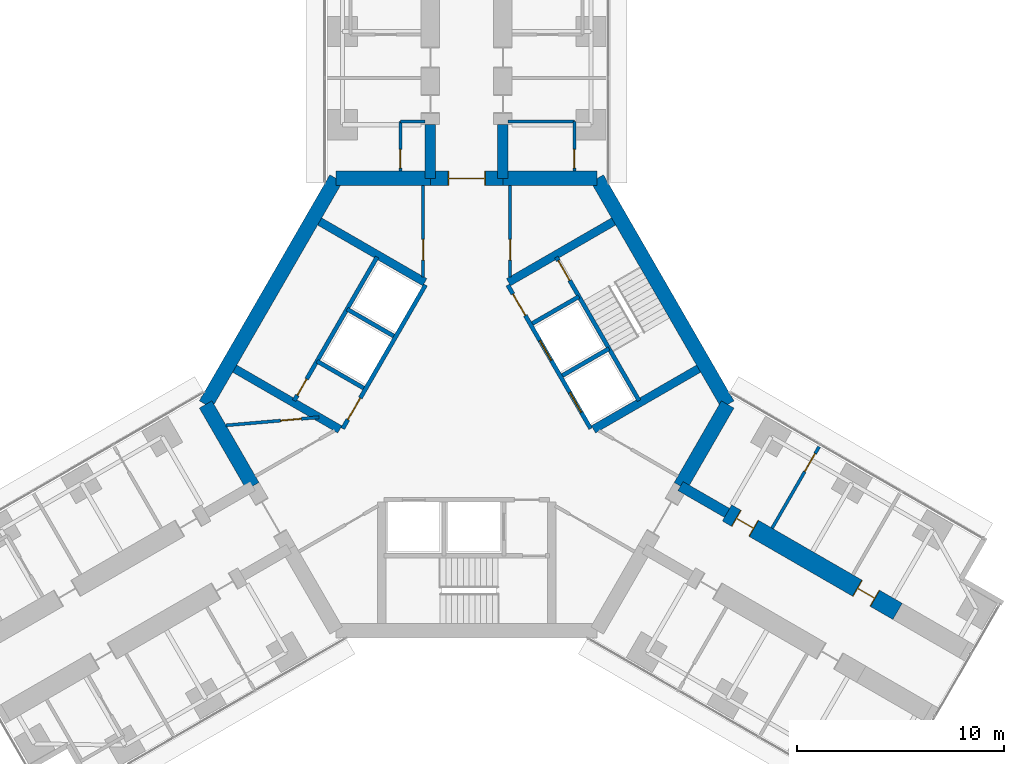
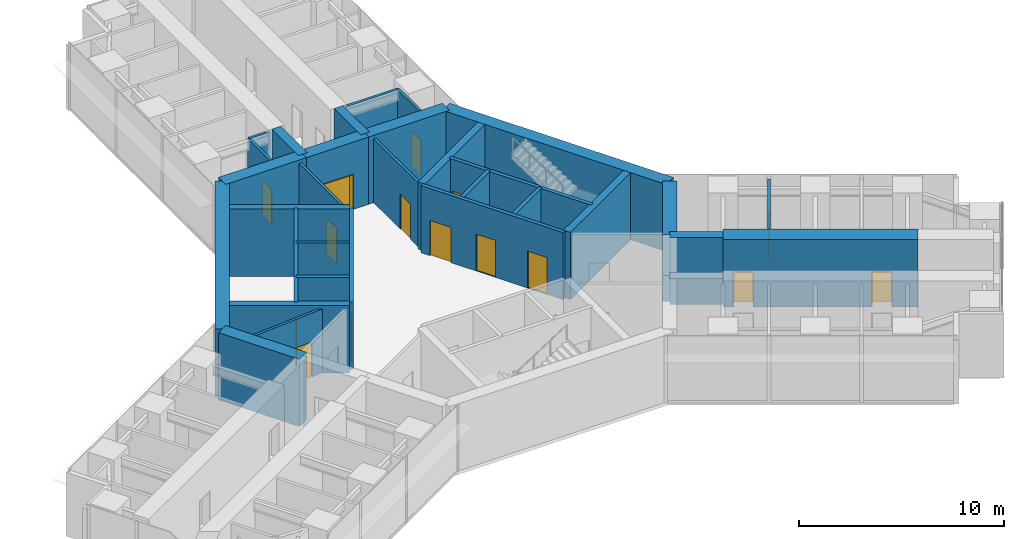
# One storey, part 21 of 24: 31 walls, 15 doors, 15 openings.
"""IFC4 building model written with IfcOpenShell, lengths in metres."""

from ifc_helpers import new_model, si_unit, direction, frame, frame_2d, origin, place, context, subcontext, project, spatial, rectangle, extrude, material, layer, layer_set, type_object, element, fill, save


model = new_model("IFC4")

# Units and contexts
model_context = context("Model", 3, precision=1e-05, world=origin(), true_north=direction((0.0, 1.0)))
body_context = subcontext(model_context, "Body", "Model", "MODEL_VIEW")
ifc_project = project(units=[si_unit("LENGTHUNIT", "METRE"), si_unit("AREAUNIT", "SQUARE_METRE"), si_unit("VOLUMEUNIT", "CUBIC_METRE"), si_unit("PLANEANGLEUNIT", "RADIAN"), si_unit("MASSUNIT", "GRAM", prefix="KILO")], contexts=[model_context])

# Site, building, storey
site_placement = place(None, origin())
site = spatial("IfcSite", under=ifc_project, at=site_placement, CompositionType="ELEMENT")
building_placement = place(site_placement, origin())
building = spatial("IfcBuilding", under=site, at=building_placement, Name="Upepo Twin Towers", CompositionType="ELEMENT")
storey_placement = place(building_placement, frame((0.0, 0.0, 64.5)))
storey = spatial("IfcBuildingStorey", under=building, at=storey_placement, Name="L15", CompositionType="ELEMENT", Elevation=64.5)

# Walls
ifc_material_1 = material(Name="Concrete C60/75", Category="concrete")
ifc_layer_1 = layer(ifc_material_1, 0.5)
ifc_layer_set_1 = layer_set([ifc_layer_1], Name="Concrete C60/75")
wall_type_1 = type_object("IfcWallType", Name="Buttress wall 500 RC", PredefinedType="SHEAR", material=ifc_layer_set_1)
for number, where, z_axis, x_axis, name in (
    (1, (56.75, -7.091552734375, 0.0), (0.0, 0.0, 1.0), (0.0, 1.0, 0.0), "T2 wing A buttress wall L"),
    (2, (60.25, -7.091552734375, 0.0), (0.0, 0.0, 1.0), (0.0, 1.0, 0.0), "T2 wing A buttress wall R"),
):
    element("IfcWall", number, at=place(storey_placement, frame(where, z_axis=z_axis, x_axis=x_axis)), inside=storey, type_object=wall_type_1, Name=name, PredefinedType="SHEAR", context=body_context, shape_type="SweptSolid", body=[
        extrude(rectangle(XDim=2.591552734375, YDim=0.5, at=frame_2d((1.2958984375, 0.0))), origin(), (0.0, 0.0, 1.0), 4.0),
    ])
wall_1_placement = place(storey_placement, frame((68.82177734375, -21.938720703125, 0.0), z_axis=(0.0, 0.0, 1.0), x_axis=(0.866072649678, -0.499918158782, 0.0)))
element("IfcWall", 3, at=wall_1_placement, inside=storey, type_object=wall_type_1, Name="T2 wing C buttress wall L", PredefinedType="SHEAR", context=body_context, shape_type="SweptSolid", body=[
    extrude(rectangle(XDim=2.591796875, YDim=0.5, at=frame_2d((1.2958984375, 0.0))), origin(), (0.0, 0.0, 1.0), 4.0),
])

# Wall, openings, doors
ifc_material_2 = material(Name="Concrete C60/75", Category="concrete")
ifc_layer_2 = layer(ifc_material_2, 0.89990234375)
ifc_layer_set_2 = layer_set([ifc_layer_2], Name="Concrete C60/75")
wall_type_2 = type_object("IfcWallType", Name="Buttress wall 900 RC", PredefinedType="SHEAR", material=ifc_layer_set_2)
wall_2_placement = place(storey_placement, frame((71.06640625, -23.234375, 0.0), z_axis=(0.0, 0.0, 1.0), x_axis=(0.86602681393, -0.499997557548, 0.0)))
wall_2 = element("IfcWall", 4, at=wall_2_placement, inside=storey, type_object=wall_type_2, Name="T2 wing C buttress wall L part 2", PredefinedType="SHEAR", context=body_context, shape_type="SweptSolid", body=[
    extrude(rectangle(XDim=9.5, YDim=0.89990234375, at=frame_2d((4.75, 0.0))), origin(), (0.0, 0.0, 1.0), 4.0),
])
opening_1_placement = place(wall_2_placement, frame((0.5, 0.0, 0.0)))
opening_1 = element("IfcOpeningElement", 5, at=opening_1_placement, cuts=wall_2, Name="Opening D1", PredefinedType="OPENING", context=body_context, shape_type="SweptSolid", body=[
    extrude(rectangle(XDim=1.0, YDim=2.10009765625, at=frame_2d((0.5, 1.050048828125))), frame((0.0, 0.4599609375, 0.0), z_axis=(0.0, -1.0, 0.0), x_axis=(1.0, 0.0, 0.0)), (0.0, 0.0, 1.0), 0.919921875),
])
opening_2_placement = place(wall_2_placement, frame((7.25, 0.0, 0.0)))
opening_2 = element("IfcOpeningElement", 6, at=opening_2_placement, cuts=wall_2, Name="Opening D1", PredefinedType="OPENING", context=body_context, shape_type="SweptSolid", body=[
    extrude(rectangle(XDim=1.0, YDim=2.10009765625, at=frame_2d((0.5, 1.050048828125))), frame((0.0, 0.4599609375, 0.0), z_axis=(0.0, -1.0, 0.0), x_axis=(1.0, 0.0, 0.0)), (0.0, 0.0, 1.0), 0.919921875),
])
ifc_material_3 = material(Name="Timber doorset", Category="wood")
door_type_1 = type_object("IfcDoorType", Name="Room door 1000 FD30", OperationType="SINGLE_SWING_LEFT", PredefinedType="DOOR", material=ifc_material_3)
door_1_placement = place(opening_1_placement, origin())
door_1 = element("IfcDoor", 7, at=door_1_placement, inside=storey, type_object=door_type_1, Name="T2 L15 seminar room door", OperationType="SINGLE_SWING_LEFT", OverallHeight=2.10009765625, OverallWidth=1.0, PredefinedType="DOOR", context=body_context, shape_type="SweptSolid", body=[
    extrude(rectangle(XDim=0.92, YDim=2.06009765625, at=frame_2d((0.5, 1.030029296875))), frame((0.0, 0.02490234375, 0.0), z_axis=(0.0, -1.0, 0.0), x_axis=(1.0, 0.0, 0.0)), (0.0, 0.0, 1.0), 0.050048828125),
    extrude(rectangle(XDim=0.04, YDim=2.10009765625, at=frame_2d((0.02001953125, 1.050048828125))), frame((0.0, 0.44970703125, 0.0), z_axis=(0.0, -1.0, 0.0), x_axis=(1.0, 0.0, 0.0)), (0.0, 0.0, 1.0), 0.8994140625),
    extrude(rectangle(XDim=0.04, YDim=2.10009765625, at=frame_2d((0.97998046875, 1.050048828125))), frame((0.0, 0.44970703125, 0.0), z_axis=(0.0, -1.0, 0.0), x_axis=(1.0, 0.0, 0.0)), (0.0, 0.0, 1.0), 0.8994140625),
    extrude(rectangle(XDim=0.92, YDim=0.04, at=frame_2d((0.5, 2.080078125))), frame((0.0, 0.44970703125, 0.0), z_axis=(0.0, -1.0, 0.0), x_axis=(1.0, 0.0, 0.0)), (0.0, 0.0, 1.0), 0.8994140625),
])
fill(opening_1, door_1)
door_2_placement = place(opening_2_placement, origin())
door_2 = element("IfcDoor", 8, at=door_2_placement, inside=storey, type_object=door_type_1, Name="T2 L15 tutorial room door", OperationType="SINGLE_SWING_RIGHT", OverallHeight=2.10009765625, OverallWidth=1.0, PredefinedType="DOOR", context=body_context, shape_type="SweptSolid", body=[
    extrude(rectangle(XDim=0.92, YDim=2.06009765625, at=frame_2d((0.5, 1.030029296875))), frame((0.0, 0.02490234375, 0.0), z_axis=(0.0, -1.0, 0.0), x_axis=(1.0, 0.0, 0.0)), (0.0, 0.0, 1.0), 0.050048828125),
    extrude(rectangle(XDim=0.04, YDim=2.10009765625, at=frame_2d((0.02001953125, 1.050048828125))), frame((0.0, 0.44970703125, 0.0), z_axis=(0.0, -1.0, 0.0), x_axis=(1.0, 0.0, 0.0)), (0.0, 0.0, 1.0), 0.8994140625),
    extrude(rectangle(XDim=0.04, YDim=2.10009765625, at=frame_2d((0.97998046875, 1.050048828125))), frame((0.0, 0.44970703125, 0.0), z_axis=(0.0, -1.0, 0.0), x_axis=(1.0, 0.0, 0.0)), (0.0, 0.0, 1.0), 0.8994140625),
    extrude(rectangle(XDim=0.92, YDim=0.04, at=frame_2d((0.5, 2.080078125))), frame((0.0, 0.44970703125, 0.0), z_axis=(0.0, -1.0, 0.0), x_axis=(1.0, 0.0, 0.0)), (0.0, 0.0, 1.0), 0.8994140625),
])
fill(opening_2, door_2)

# Wall
ifc_material_4 = material(Name="Concrete C60/75", Category="concrete")
ifc_layer_3 = layer(ifc_material_4, 0.699951171875)
ifc_layer_set_3 = layer_set([ifc_layer_3], Name="Concrete C60/75")
wall_type_3 = type_object("IfcWallType", Name="Core wall 700 RC", PredefinedType="SHEAR", material=ifc_layer_set_3)
wall_3_placement = place(storey_placement, frame((64.7978515625, -7.091552734375, 0.0), z_axis=(0.0, 0.0, 1.0), x_axis=(-1.0, 0.0, 0.0)))
element("IfcWall", 9, at=wall_3_placement, inside=storey, type_object=wall_type_3, Name="T2 core wall 000 R", PredefinedType="SHEAR", context=body_context, shape_type="SweptSolid", body=[
    extrude(rectangle(XDim=4.5478515625, YDim=0.699951171875, at=frame_2d((2.27392578125, 0.0))), origin(), (0.0, 0.0, 1.0), 4.0),
])

# Wall, opening, door
wall_4_placement = place(storey_placement, frame((60.25, -7.091552734375, 0.0), z_axis=(0.0, 0.0, 1.0), x_axis=(-1.0, 0.0, 0.0)))
wall_4 = element("IfcWall", 10, at=wall_4_placement, inside=storey, type_object=wall_type_3, Name="T2 core wall 000", PredefinedType="SHEAR", context=body_context, shape_type="SweptSolid", body=[
    extrude(rectangle(XDim=3.5, YDim=0.699951171875, at=frame_2d((1.75, 0.0))), origin(), (0.0, 0.0, 1.0), 4.0),
])
opening_3_placement = place(wall_4_placement, frame((0.85009765625, 0.0, 0.0)))
opening_3 = element("IfcOpeningElement", 11, at=opening_3_placement, cuts=wall_4, Name="Opening D2", PredefinedType="OPENING", context=body_context, shape_type="SweptSolid", body=[
    extrude(rectangle(XDim=1.800048828125, YDim=2.10009765625, at=frame_2d((0.89990234375, 1.050048828125))), frame((0.0, 0.35986328125, 0.0), z_axis=(0.0, -1.0, 0.0), x_axis=(1.0, 0.0, 0.0)), (0.0, 0.0, 1.0), 0.719970703125),
])
ifc_material_5 = material(Name="Timber doorset", Category="wood")
door_type_2 = type_object("IfcDoorType", Name="Corridor double door 1800 FD60", OperationType="DOUBLE_DOOR_DOUBLE_SWING", PredefinedType="DOOR", material=ifc_material_5)
door_3_placement = place(opening_3_placement, origin())
door_3 = element("IfcDoor", 12, at=door_3_placement, inside=storey, type_object=door_type_2, Name="T2 L15 wing A corridor door", OperationType="DOUBLE_DOOR_DOUBLE_SWING", OverallHeight=2.10009765625, OverallWidth=1.800048828125, PredefinedType="DOOR", context=body_context, shape_type="SweptSolid", body=[
    extrude(rectangle(XDim=1.720048828125, YDim=2.06009765625, at=frame_2d((0.89990234375, 1.030029296875))), frame((0.0, 0.02490234375, 0.0), z_axis=(0.0, -1.0, 0.0), x_axis=(1.0, 0.0, 0.0)), (0.0, 0.0, 1.0), 0.050048828125),
    extrude(rectangle(XDim=0.04, YDim=2.10009765625, at=frame_2d((0.02001953125, 1.050048828125))), frame((0.0, 0.349609375, 0.0), z_axis=(0.0, -1.0, 0.0), x_axis=(1.0, 0.0, 0.0)), (0.0, 0.0, 1.0), 0.699462890625),
    extrude(rectangle(XDim=0.04, YDim=2.10009765625, at=frame_2d((1.780029296875, 1.050048828125))), frame((0.0, 0.349609375, 0.0), z_axis=(0.0, -1.0, 0.0), x_axis=(1.0, 0.0, 0.0)), (0.0, 0.0, 1.0), 0.699462890625),
    extrude(rectangle(XDim=1.720048828125, YDim=0.04, at=frame_2d((0.89990234375, 2.080078125))), frame((0.0, 0.349609375, 0.0), z_axis=(0.0, -1.0, 0.0), x_axis=(1.0, 0.0, 0.0)), (0.0, 0.0, 1.0), 0.699462890625),
])
fill(opening_3, door_3)

# Walls
wall_5_placement = place(storey_placement, frame((56.75, -7.091552734375, 0.0), z_axis=(0.0, 0.0, 1.0), x_axis=(-1.0, 0.0, 0.0)))
element("IfcWall", 13, at=wall_5_placement, inside=storey, type_object=wall_type_3, Name="T2 core wall 000 L", PredefinedType="SHEAR", context=body_context, shape_type="SweptSolid", body=[
    extrude(rectangle(XDim=4.5478515625, YDim=0.699951171875, at=frame_2d((2.27392578125, 0.0))), origin(), (0.0, 0.0, 1.0), 4.0),
])
wall_6_placement = place(storey_placement, frame((52.2021484375, -7.091552734375, 0.0), z_axis=(0.0, 0.0, 1.0), x_axis=(-0.500005998175, -0.866021940709, 0.0)))
element("IfcWall", 14, at=wall_6_placement, inside=storey, type_object=wall_type_3, Name="T2 core wall 060", PredefinedType="SHEAR", context=body_context, shape_type="SweptSolid", body=[
    extrude(rectangle(XDim=12.595947265625, YDim=0.699951171875, at=frame_2d((6.2978515625, 0.0))), origin(), (0.0, 0.0, 1.0), 4.0),
])
for number, where, z_axis, x_axis, name in (
    (15, (45.904052734375, -18.0, 0.0), (0.0, 0.0, 1.0), (0.500024481964, -0.866011268655, 0.0), "T2 core wall 120 R"),
    (16, (68.82177734375, -21.938720703125, 0.0), (0.0, 0.0, 1.0), (0.500024481964, 0.866011268655, 0.0), "T2 core wall 240 L"),
):
    element("IfcWall", number, at=place(storey_placement, frame(where, z_axis=z_axis, x_axis=x_axis)), inside=storey, type_object=wall_type_3, Name=name, PredefinedType="SHEAR", context=body_context, shape_type="SweptSolid", body=[
        extrude(rectangle(XDim=4.548095703125, YDim=0.699951171875, at=frame_2d((2.27392578125, 0.0))), origin(), (0.0, 0.0, 1.0), 4.0),
    ])
wall_7_placement = place(storey_placement, frame((71.095947265625, -18.0, 0.0), z_axis=(0.0, 0.0, 1.0), x_axis=(-0.500005998175, 0.866021940709, 0.0)))
element("IfcWall", 17, at=wall_7_placement, inside=storey, type_object=wall_type_3, Name="T2 core wall 300", PredefinedType="SHEAR", context=body_context, shape_type="SweptSolid", body=[
    extrude(rectangle(XDim=12.595947265625, YDim=0.699951171875, at=frame_2d((6.2978515625, 0.0))), origin(), (0.0, 0.0, 1.0), 4.0),
])

# Wall, opening, door
ifc_material_6 = material(Name="Concrete C40/50", Category="concrete")
ifc_layer_4 = layer(ifc_material_6, 0.199951171875)
ifc_layer_set_4 = layer_set([ifc_layer_4], Name="Concrete C40/50")
wall_type_4 = type_object("IfcWallType", Name="Shaft wall 200 RC", PredefinedType="SHEAR", material=ifc_layer_set_4)
wall_8_placement = place(storey_placement, frame((56.516357421875, -12.23583984375, 0.0), z_axis=(0.0, 0.0, 1.0), x_axis=(-0.49999894854, -0.866026010844, 0.0)))
wall_8 = element("IfcWall", 18, at=wall_8_placement, inside=storey, type_object=wall_type_4, Name="T2 core W60 front wall", PredefinedType="SHEAR", context=body_context, shape_type="SweptSolid", body=[
    extrude(rectangle(XDim=8.0, YDim=0.199951171875, at=frame_2d((4.0, 0.0))), origin(), (0.0, 0.0, 1.0), 4.0),
])
opening_4_placement = place(wall_8_placement, frame((6.300048828125, 0.0, 0.0)))
opening_4 = element("IfcOpeningElement", 19, at=opening_4_placement, cuts=wall_8, Name="Opening D4", PredefinedType="OPENING", context=body_context, shape_type="SweptSolid", body=[
    extrude(rectangle(XDim=1.199951171875, YDim=2.10009765625, at=frame_2d((0.60009765625, 1.050048828125))), frame((0.0, 0.10986328125, 0.0), z_axis=(0.0, -1.0, 0.0), x_axis=(1.0, 0.0, 0.0)), (0.0, 0.0, 1.0), 0.219970703125),
])
ifc_material_7 = material(Name="Timber doorset", Category="wood")
door_type_3 = type_object("IfcDoorType", Name="Lobby door 1200 FD60", OperationType="SINGLE_SWING_LEFT", PredefinedType="DOOR", material=ifc_material_7)
door_4_placement = place(opening_4_placement, origin())
door_4 = element("IfcDoor", 20, at=door_4_placement, inside=storey, type_object=door_type_3, Name="T2 L15 W60 lobby door", OperationType="SINGLE_SWING_RIGHT", OverallHeight=2.10009765625, OverallWidth=1.199951171875, PredefinedType="DOOR", context=body_context, shape_type="SweptSolid", body=[
    extrude(rectangle(XDim=1.199951171875, YDim=2.10009765625, at=frame_2d((0.60009765625, 1.050048828125))), frame((0.0, 0.02490234375, 0.0), z_axis=(0.0, -1.0, 0.0), x_axis=(1.0, 0.0, 0.0)), (0.0, 0.0, 1.0), 0.050048828125),
])
fill(opening_4, door_4)

# Walls
for number, where, z_axis, x_axis, name in (
    (21, (54.979736328125, -14.697265625, 0.0), (0.0, 0.0, 1.0), (-0.866062058628, 0.499936506574, 0.0), "T2 core W60 shaft divider"),
    (22, (53.52978515625, -17.208740234375, 0.0), (0.0, 0.0, 1.0), (-0.866062058628, 0.499936506574, 0.0), "T2 core W60 lobby wall"),
):
    element("IfcWall", number, at=place(storey_placement, frame(where, z_axis=z_axis, x_axis=x_axis)), inside=storey, type_object=wall_type_4, Name=name, PredefinedType="SHEAR", context=body_context, shape_type="SweptSolid", body=[
        extrude(rectangle(XDim=2.599853515625, YDim=0.199951171875, at=frame_2d((1.2998046875, 0.0))), origin(), (0.0, 0.0, 1.0), 4.0),
    ])

# Wall, opening, door
wall_9_placement = place(storey_placement, frame((54.177978515625, -10.885986328125, 0.0), z_axis=(0.0, 0.0, 1.0), x_axis=(-0.49999894854, -0.866026010844, 0.0)))
wall_9 = element("IfcWall", 23, at=wall_9_placement, inside=storey, type_object=wall_type_4, Name="T2 core W60 stair wall", PredefinedType="SHEAR", context=body_context, shape_type="SweptSolid", body=[
    extrude(rectangle(XDim=8.0, YDim=0.199951171875, at=frame_2d((4.0, 0.0))), origin(), (0.0, 0.0, 1.0), 4.0),
])
opening_5_placement = place(wall_9_placement, frame((6.800048828125, 0.0, 0.0)))
opening_5 = element("IfcOpeningElement", 24, at=opening_5_placement, cuts=wall_9, Name="Opening D9", PredefinedType="OPENING", context=body_context, shape_type="SweptSolid", body=[
    extrude(rectangle(XDim=0.89990234375, YDim=2.10009765625, at=frame_2d((0.449951171875, 1.050048828125))), frame((0.0, 0.10986328125, 0.0), z_axis=(0.0, -1.0, 0.0), x_axis=(1.0, 0.0, 0.0)), (0.0, 0.0, 1.0), 0.219970703125),
])
ifc_material_8 = material(Name="Timber doorset", Category="wood")
door_type_4 = type_object("IfcDoorType", Name="Riser door 900 FD60", OperationType="SINGLE_SWING_LEFT", PredefinedType="DOOR", material=ifc_material_8)
door_5_placement = place(opening_5_placement, origin())
door_5 = element("IfcDoor", 25, at=door_5_placement, inside=storey, type_object=door_type_4, Name="T2 L15 riser door", OperationType="SINGLE_SWING_RIGHT", OverallHeight=2.10009765625, OverallWidth=0.89990234375, PredefinedType="DOOR", context=body_context, shape_type="SweptSolid", body=[
    extrude(rectangle(XDim=0.89990234375, YDim=2.10009765625, at=frame_2d((0.449951171875, 1.050048828125))), frame((0.0, 0.02490234375, 0.0), z_axis=(0.0, -1.0, 0.0), x_axis=(1.0, 0.0, 0.0)), (0.0, 0.0, 1.0), 0.050048828125),
])
fill(opening_5, door_5)

# Wall, openings, doors
wall_10_placement = place(storey_placement, frame((64.483642578125, -19.1640625, 0.0), z_axis=(0.0, 0.0, 1.0), x_axis=(-0.49999894854, 0.866026010844, 0.0)))
wall_10 = element("IfcWall", 26, at=wall_10_placement, inside=storey, type_object=wall_type_4, Name="T2 core W300 front wall", PredefinedType="SHEAR", context=body_context, shape_type="SweptSolid", body=[
    extrude(rectangle(XDim=8.0, YDim=0.199951171875, at=frame_2d((4.0, 0.0))), origin(), (0.0, 0.0, 1.0), 4.0),
])
opening_6_placement = place(wall_10_placement, frame((6.300048828125, 0.0, 0.0)))
opening_6 = element("IfcOpeningElement", 27, at=opening_6_placement, cuts=wall_10, Name="Opening D4", PredefinedType="OPENING", context=body_context, shape_type="SweptSolid", body=[
    extrude(rectangle(XDim=1.199951171875, YDim=2.10009765625, at=frame_2d((0.60009765625, 1.050048828125))), frame((0.0, 0.10986328125, 0.0), z_axis=(0.0, -1.0, 0.0), x_axis=(1.0, 0.0, 0.0)), (0.0, 0.0, 1.0), 0.219970703125),
])
opening_7_placement = place(wall_10_placement, frame((0.89990234375, 0.0, 0.0)))
opening_7 = element("IfcOpeningElement", 28, at=opening_7_placement, cuts=wall_10, Name="Opening LD1", PredefinedType="OPENING", context=body_context, shape_type="SweptSolid", body=[
    extrude(rectangle(XDim=1.10009765625, YDim=2.199951171875, at=frame_2d((0.550048828125, 1.10009765625))), frame((0.0, 0.10986328125, 0.0), z_axis=(0.0, -1.0, 0.0), x_axis=(1.0, 0.0, 0.0)), (0.0, 0.0, 1.0), 0.219970703125),
])
opening_8_placement = place(wall_10_placement, frame((3.800048828125, 0.0, 0.0)))
opening_8 = element("IfcOpeningElement", 29, at=opening_8_placement, cuts=wall_10, Name="Opening LD1", PredefinedType="OPENING", context=body_context, shape_type="SweptSolid", body=[
    extrude(rectangle(XDim=1.10009765625, YDim=2.199951171875, at=frame_2d((0.550048828125, 1.10009765625))), frame((0.0, 0.10986328125, 0.0), z_axis=(0.0, -1.0, 0.0), x_axis=(1.0, 0.0, 0.0)), (0.0, 0.0, 1.0), 0.219970703125),
])
ifc_material_9 = material(Name="Steel doorset", Category="steel")
door_type_5 = type_object("IfcDoorType", Name="Lift landing door 1100", OperationType="DOUBLE_DOOR_SLIDING", PredefinedType="DOOR", material=ifc_material_9)
door_6_placement = place(opening_7_placement, origin())
door_6 = element("IfcDoor", 30, at=door_6_placement, inside=storey, type_object=door_type_5, Name="T2 L15 lift LL1 landing door", OperationType="DOUBLE_DOOR_SLIDING", OverallHeight=2.199951171875, OverallWidth=1.10009765625, PredefinedType="DOOR", context=body_context, shape_type="SweptSolid", body=[
    extrude(rectangle(XDim=1.10009765625, YDim=2.199951171875, at=frame_2d((0.550048828125, 1.10009765625))), frame((0.0, 0.02490234375, 0.0), z_axis=(0.0, -1.0, 0.0), x_axis=(1.0, 0.0, 0.0)), (0.0, 0.0, 1.0), 0.050048828125),
])
fill(opening_7, door_6)
door_7_placement = place(opening_8_placement, origin())
door_7 = element("IfcDoor", 31, at=door_7_placement, inside=storey, type_object=door_type_5, Name="T2 L15 lift LL2 landing door", OperationType="DOUBLE_DOOR_SLIDING", OverallHeight=2.199951171875, OverallWidth=1.10009765625, PredefinedType="DOOR", context=body_context, shape_type="SweptSolid", body=[
    extrude(rectangle(XDim=1.10009765625, YDim=2.199951171875, at=frame_2d((0.550048828125, 1.10009765625))), frame((0.0, 0.02490234375, 0.0), z_axis=(0.0, -1.0, 0.0), x_axis=(1.0, 0.0, 0.0)), (0.0, 0.0, 1.0), 0.050048828125),
])
fill(opening_8, door_7)
door_8_placement = place(opening_6_placement, origin())
door_8 = element("IfcDoor", 32, at=door_8_placement, inside=storey, type_object=door_type_3, Name="T2 L15 W300 lobby door", OperationType="SINGLE_SWING_RIGHT", OverallHeight=2.10009765625, OverallWidth=1.199951171875, PredefinedType="DOOR", context=body_context, shape_type="SweptSolid", body=[
    extrude(rectangle(XDim=1.199951171875, YDim=2.10009765625, at=frame_2d((0.60009765625, 1.050048828125))), frame((0.0, 0.02490234375, 0.0), z_axis=(0.0, -1.0, 0.0), x_axis=(1.0, 0.0, 0.0)), (0.0, 0.0, 1.0), 0.050048828125),
])
fill(opening_6, door_8)

# Walls
wall_11_placement = place(storey_placement, frame((63.120361328125, -16.6025390625, 0.0), z_axis=(0.0, 0.0, 1.0), x_axis=(0.866062058628, 0.499936506574, 0.0)))
element("IfcWall", 33, at=wall_11_placement, inside=storey, type_object=wall_type_4, Name="T2 core W300 shaft divider", PredefinedType="SHEAR", context=body_context, shape_type="SweptSolid", body=[
    extrude(rectangle(XDim=2.599853515625, YDim=0.199951171875, at=frame_2d((1.2998046875, 0.0))), origin(), (0.0, 0.0, 1.0), 4.0),
])
wall_12_placement = place(storey_placement, frame((61.67041015625, -14.091064453125, 0.0), z_axis=(0.0, 0.0, 1.0), x_axis=(0.86603858612, 0.49997716683, 0.0)))
element("IfcWall", 34, at=wall_12_placement, inside=storey, type_object=wall_type_4, Name="T2 core W300 lobby wall", PredefinedType="SHEAR", context=body_context, shape_type="SweptSolid", body=[
    extrude(rectangle(XDim=2.599609375, YDim=0.199951171875, at=frame_2d((1.2998046875, 0.0))), origin(), (0.0, 0.0, 1.0), 4.0),
])

# Wall, opening, door
wall_13_placement = place(storey_placement, frame((66.822021484375, -17.814208984375, 0.0), z_axis=(0.0, 0.0, 1.0), x_axis=(-0.49999894854, 0.866026010844, 0.0)))
wall_13 = element("IfcWall", 35, at=wall_13_placement, inside=storey, type_object=wall_type_4, Name="T2 core W300 stair wall", PredefinedType="SHEAR", context=body_context, shape_type="SweptSolid", body=[
    extrude(rectangle(XDim=8.0, YDim=0.199951171875, at=frame_2d((4.0, 0.0))), origin(), (0.0, 0.0, 1.0), 4.0),
])
opening_9_placement = place(wall_13_placement, frame((6.699951171875, 0.0, 0.0)))
opening_9 = element("IfcOpeningElement", 36, at=opening_9_placement, cuts=wall_13, Name="Opening D3", PredefinedType="OPENING", context=body_context, shape_type="SweptSolid", body=[
    extrude(rectangle(XDim=1.10009765625, YDim=2.10009765625, at=frame_2d((0.550048828125, 1.050048828125))), frame((0.0, 0.10986328125, 0.0), z_axis=(0.0, -1.0, 0.0), x_axis=(1.0, 0.0, 0.0)), (0.0, 0.0, 1.0), 0.219970703125),
])
ifc_material_10 = material(Name="Timber doorset", Category="wood")
door_type_6 = type_object("IfcDoorType", Name="Stair door 1100 FD60", OperationType="SINGLE_SWING_LEFT", PredefinedType="DOOR", material=ifc_material_10)
door_9_placement = place(opening_9_placement, origin())
door_9 = element("IfcDoor", 37, at=door_9_placement, inside=storey, type_object=door_type_6, Name="T2 L15 stair door", OperationType="SINGLE_SWING_RIGHT", OverallHeight=2.10009765625, OverallWidth=1.10009765625, PredefinedType="DOOR", context=body_context, shape_type="SweptSolid", body=[
    extrude(rectangle(XDim=1.10009765625, YDim=2.10009765625, at=frame_2d((0.550048828125, 1.050048828125))), frame((0.0, 0.02490234375, 0.0), z_axis=(0.0, -1.0, 0.0), x_axis=(1.0, 0.0, 0.0)), (0.0, 0.0, 1.0), 0.050048828125),
])
fill(opening_9, door_9)

# Walls
ifc_material_11 = material(Name="Concrete C40/50", Category="concrete")
ifc_layer_5 = layer(ifc_material_11, 0.39990234375)
ifc_layer_set_5 = layer_set([ifc_layer_5], Name="Concrete C40/50")
wall_type_5 = type_object("IfcWallType", Name="Shaft wall 400 RC", PredefinedType="SHEAR", material=ifc_layer_set_5)
for number, where, z_axis, x_axis, name in (
    (38, (52.379638671875, -19.20068359375, 0.0), (0.0, 0.0, 1.0), (-0.866023886965, 0.500002627198, 0.0), "T2 core W60 side wall N"),
    (39, (56.479736328125, -12.099365234375, 0.0), (0.0, 0.0, 1.0), (-0.866023886965, 0.500002627198, 0.0), "T2 core W60 side wall S"),
    (40, (60.520263671875, -12.099365234375, 0.0), (0.0, 0.0, 1.0), (0.866023886965, 0.500002627198, 0.0), "T2 core W300 side wall N"),
    (41, (64.620361328125, -19.20068359375, 0.0), (0.0, 0.0, 1.0), (0.866023886965, 0.500002627198, 0.0), "T2 core W300 side wall S"),
):
    element("IfcWall", number, at=place(storey_placement, frame(where, z_axis=z_axis, x_axis=x_axis)), inside=storey, type_object=wall_type_5, Name=name, PredefinedType="SHEAR", context=body_context, shape_type="SweptSolid", body=[
        extrude(rectangle(XDim=5.8583984375, YDim=0.39990234375, at=frame_2d((2.92919921875, 0.0))), origin(), (0.0, 0.0, 1.0), 4.0),
    ])

# Wall, opening, door
ifc_material_12 = material(Name="Gypsum board on steel studs", Category="steel")
ifc_layer_6 = layer(ifc_material_12, 0.14990234375)
ifc_layer_set_6 = layer_set([ifc_layer_6], Name="Teaching partition 150 acoustic")
wall_type_6 = type_object("IfcWallType", Name="Teaching partition 150 acoustic", PredefinedType="PARTITIONING", material=ifc_layer_set_6)
wall_14_placement = place(storey_placement, frame((55.300048828125, -6.741943359375, 0.0), z_axis=(0.0, 0.0, 1.0), x_axis=(0.0, 1.0, 0.0)))
wall_14 = element("IfcWall", 42, at=wall_14_placement, inside=storey, type_object=wall_type_6, Name="T2 WC bay partition AL at 11.26", PredefinedType="PARTITIONING", context=body_context, shape_type="SweptSolid", body=[
    extrude(rectangle(XDim=2.39990234375, YDim=0.14990234375, at=frame_2d((1.199951171875, 0.0))), origin(), (0.0, 0.0, 1.0), 3.800048828125),
])
opening_10_placement = place(wall_14_placement, frame((0.14990234375, 0.0, 0.0)))
opening_10 = element("IfcOpeningElement", 43, at=opening_10_placement, cuts=wall_14, Name="Opening D14", PredefinedType="OPENING", context=body_context, shape_type="SweptSolid", body=[
    extrude(rectangle(XDim=0.89990234375, YDim=2.10009765625, at=frame_2d((0.449951171875, 1.050048828125))), frame((0.0, 0.0849609375, 0.0), z_axis=(0.0, -1.0, 0.0), x_axis=(1.0, 0.0, 0.0)), (0.0, 0.0, 1.0), 0.169921875),
])
ifc_material_13 = material(Name="Timber doorset", Category="wood")
door_type_7 = type_object("IfcDoorType", Name="Office door 900 FD30", OperationType="SINGLE_SWING_LEFT", PredefinedType="DOOR", material=ifc_material_13)
door_10_placement = place(opening_10_placement, origin())
door_10 = element("IfcDoor", 44, at=door_10_placement, inside=storey, type_object=door_type_7, Name="T2 L15 WC bay inner room door", OperationType="SINGLE_SWING_LEFT", OverallHeight=2.10009765625, OverallWidth=0.89990234375, PredefinedType="DOOR", context=body_context, shape_type="SweptSolid", body=[
    extrude(rectangle(XDim=0.89990234375, YDim=2.10009765625, at=frame_2d((0.449951171875, 1.050048828125))), frame((0.0, 0.02490234375, 0.0), z_axis=(0.0, -1.0, 0.0), x_axis=(1.0, 0.0, 0.0)), (0.0, 0.0, 1.0), 0.050048828125),
])
fill(opening_10, door_10)

# Wall
wall_15_placement = place(storey_placement, frame((56.5, -4.342041015625, 0.0), z_axis=(0.0, 0.0, 1.0), x_axis=(-1.0, 0.0, 0.0)))
element("IfcWall", 45, at=wall_15_placement, inside=storey, type_object=wall_type_6, Name="T2 WC bay partition AL end at 13.66", PredefinedType="PARTITIONING", context=body_context, shape_type="SweptSolid", body=[
    extrude(rectangle(XDim=1.199951171875, YDim=0.14990234375, at=frame_2d((0.60009765625, 0.0))), origin(), (0.0, 0.0, 1.0), 3.800048828125),
])

# Wall, opening, door
wall_16_placement = place(storey_placement, frame((63.699951171875, -6.741943359375, 0.0), z_axis=(0.0, 0.0, 1.0), x_axis=(0.0, 1.0, 0.0)))
wall_16 = element("IfcWall", 46, at=wall_16_placement, inside=storey, type_object=wall_type_6, Name="T2 WC bay partition AR at 11.26", PredefinedType="PARTITIONING", context=body_context, shape_type="SweptSolid", body=[
    extrude(rectangle(XDim=2.39990234375, YDim=0.14990234375, at=frame_2d((1.199951171875, 0.0))), origin(), (0.0, 0.0, 1.0), 3.800048828125),
])
opening_11_placement = place(wall_16_placement, frame((0.14990234375, 0.0, 0.0)))
opening_11 = element("IfcOpeningElement", 47, at=opening_11_placement, cuts=wall_16, Name="Opening D14", PredefinedType="OPENING", context=body_context, shape_type="SweptSolid", body=[
    extrude(rectangle(XDim=0.89990234375, YDim=2.10009765625, at=frame_2d((0.449951171875, 1.050048828125))), frame((0.0, 0.0849609375, 0.0), z_axis=(0.0, -1.0, 0.0), x_axis=(1.0, 0.0, 0.0)), (0.0, 0.0, 1.0), 0.169921875),
])
door_11_placement = place(opening_11_placement, origin())
door_11 = element("IfcDoor", 48, at=door_11_placement, inside=storey, type_object=door_type_7, Name="T2 L15 WC bay inner room door", OperationType="SINGLE_SWING_LEFT", OverallHeight=2.10009765625, OverallWidth=0.89990234375, PredefinedType="DOOR", context=body_context, shape_type="SweptSolid", body=[
    extrude(rectangle(XDim=0.89990234375, YDim=2.10009765625, at=frame_2d((0.449951171875, 1.050048828125))), frame((0.0, 0.02490234375, 0.0), z_axis=(0.0, -1.0, 0.0), x_axis=(1.0, 0.0, 0.0)), (0.0, 0.0, 1.0), 0.050048828125),
])
fill(opening_11, door_11)

# Wall
wall_17_placement = place(storey_placement, frame((60.5, -4.342041015625, 0.0), z_axis=(0.0, 0.0, 1.0), x_axis=(1.0, 0.0, 0.0)))
element("IfcWall", 49, at=wall_17_placement, inside=storey, type_object=wall_type_6, Name="T2 WC bay partition AR end at 13.66", PredefinedType="PARTITIONING", context=body_context, shape_type="SweptSolid", body=[
    extrude(rectangle(XDim=3.199951171875, YDim=0.14990234375, at=frame_2d((1.60009765625, 0.0))), origin(), (0.0, 0.0, 1.0), 3.800048828125),
])

# Wall, opening, door
wall_18_placement = place(storey_placement, frame((73.239990234375, -23.9697265625, 0.0), z_axis=(0.0, 0.0, 1.0), x_axis=(0.499982560684, 0.866035472144, 0.0)))
wall_18 = element("IfcWall", 50, at=wall_18_placement, inside=storey, type_object=wall_type_6, Name="T2 partition CL at 15.75", PredefinedType="PARTITIONING", context=body_context, shape_type="SweptSolid", body=[
    extrude(rectangle(XDim=4.550048828125, YDim=0.14990234375, at=frame_2d((2.27490234375, 0.0))), origin(), (0.0, 0.0, 1.0), 3.800048828125),
])
opening_12_placement = place(wall_18_placement, frame((3.14990234375, 0.0, 0.0)))
opening_12 = element("IfcOpeningElement", 51, at=opening_12_placement, cuts=wall_18, Name="Opening D1", PredefinedType="OPENING", context=body_context, shape_type="SweptSolid", body=[
    extrude(rectangle(XDim=1.0, YDim=2.10009765625, at=frame_2d((0.5, 1.050048828125))), frame((0.0, 0.0849609375, 0.0), z_axis=(0.0, -1.0, 0.0), x_axis=(1.0, 0.0, 0.0)), (0.0, 0.0, 1.0), 0.169921875),
])
door_12_placement = place(opening_12_placement, origin())
door_12 = element("IfcDoor", 52, at=door_12_placement, inside=storey, type_object=door_type_1, Name="T2 L15 connecting door", OperationType="SINGLE_SWING_RIGHT", OverallHeight=2.10009765625, OverallWidth=1.0, PredefinedType="DOOR", context=body_context, shape_type="SweptSolid", body=[
    extrude(rectangle(XDim=1.0, YDim=2.10009765625, at=frame_2d((0.5, 1.050048828125))), frame((0.0, 0.02490234375, 0.0), z_axis=(0.0, -1.0, 0.0), x_axis=(1.0, 0.0, 0.0)), (0.0, 0.0, 1.0), 0.050048828125),
])
fill(opening_12, door_12)

wall_19_placement = place(storey_placement, frame((56.39990234375, -11.857421875, 0.0), z_axis=(0.0, 0.0, 1.0), x_axis=(0.0, 1.0, 0.0)))
wall_19 = element("IfcWall", 53, at=wall_19_placement, inside=storey, type_object=wall_type_6, Name="T2 core room partition 2", PredefinedType="PARTITIONING", context=body_context, shape_type="SweptSolid", body=[
    extrude(rectangle(XDim=4.42578125, YDim=0.14990234375, at=frame_2d((2.212890625, 0.0))), origin(), (0.0, 0.0, 1.0), 3.800048828125),
])
opening_13_placement = place(wall_19_placement, frame((0.82763671875, 0.0, 0.0)))
opening_13 = element("IfcOpeningElement", 54, at=opening_13_placement, cuts=wall_19, Name="Opening D1", PredefinedType="OPENING", context=body_context, shape_type="SweptSolid", body=[
    extrude(rectangle(XDim=1.0, YDim=2.10009765625, at=frame_2d((0.5, 1.050048828125))), frame((0.0, 0.0849609375, 0.0), z_axis=(0.0, -1.0, 0.0), x_axis=(1.0, 0.0, 0.0)), (0.0, 0.0, 1.0), 0.169921875),
])
door_13_placement = place(opening_13_placement, origin())
door_13 = element("IfcDoor", 55, at=door_13_placement, inside=storey, type_object=door_type_1, Name="T2 L15 core room door K7", OperationType="SINGLE_SWING_LEFT", OverallHeight=2.10009765625, OverallWidth=1.0, PredefinedType="DOOR", context=body_context, shape_type="SweptSolid", body=[
    extrude(rectangle(XDim=1.0, YDim=2.10009765625, at=frame_2d((0.5, 1.050048828125))), frame((0.0, 0.02490234375, 0.0), z_axis=(0.0, -1.0, 0.0), x_axis=(1.0, 0.0, 0.0)), (0.0, 0.0, 1.0), 0.050048828125),
])
fill(opening_13, door_13)

wall_20_placement = place(storey_placement, frame((60.60009765625, -7.431640625, 0.0), z_axis=(0.0, 0.0, 1.0), x_axis=(0.0, -1.0, 0.0)))
wall_20 = element("IfcWall", 56, at=wall_20_placement, inside=storey, type_object=wall_type_6, Name="T2 core room partition 3", PredefinedType="PARTITIONING", context=body_context, shape_type="SweptSolid", body=[
    extrude(rectangle(XDim=4.42578125, YDim=0.14990234375, at=frame_2d((2.212890625, 0.0))), origin(), (0.0, 0.0, 1.0), 3.800048828125),
])
opening_14_placement = place(wall_20_placement, frame((2.597900390625, 0.0, 0.0)))
opening_14 = element("IfcOpeningElement", 57, at=opening_14_placement, cuts=wall_20, Name="Opening D1", PredefinedType="OPENING", context=body_context, shape_type="SweptSolid", body=[
    extrude(rectangle(XDim=1.0, YDim=2.10009765625, at=frame_2d((0.5, 1.050048828125))), frame((0.0, 0.0849609375, 0.0), z_axis=(0.0, -1.0, 0.0), x_axis=(1.0, 0.0, 0.0)), (0.0, 0.0, 1.0), 0.169921875),
])
door_14_placement = place(opening_14_placement, origin())
door_14 = element("IfcDoor", 58, at=door_14_placement, inside=storey, type_object=door_type_1, Name="T2 L15 core room door K6", OperationType="SINGLE_SWING_RIGHT", OverallHeight=2.10009765625, OverallWidth=1.0, PredefinedType="DOOR", context=body_context, shape_type="SweptSolid", body=[
    extrude(rectangle(XDim=1.0, YDim=2.10009765625, at=frame_2d((0.5, 1.050048828125))), frame((0.0, 0.02490234375, 0.0), z_axis=(0.0, -1.0, 0.0), x_axis=(1.0, 0.0, 0.0)), (0.0, 0.0, 1.0), 0.050048828125),
])
fill(opening_14, door_14)

wall_21_placement = place(storey_placement, frame((51.37060546875, -18.617919921875, 0.0), z_axis=(0.0, 0.0, 1.0), x_axis=(-0.996259708579, -0.086409450071, 0.0)))
wall_21 = element("IfcWall", 59, at=wall_21_placement, inside=storey, type_object=wall_type_6, Name="T2 core room partition 7", PredefinedType="PARTITIONING", context=body_context, shape_type="SweptSolid", body=[
    extrude(rectangle(XDim=4.498046875, YDim=0.14990234375, at=frame_2d((2.2490234375, 0.0))), origin(), (0.0, 0.0, 1.0), 3.800048828125),
])
opening_15_placement = place(wall_21_placement, frame((0.849365234375, 0.0, 0.0)))
opening_15 = element("IfcOpeningElement", 60, at=opening_15_placement, cuts=wall_21, Name="Opening D1", PredefinedType="OPENING", context=body_context, shape_type="SweptSolid", body=[
    extrude(rectangle(XDim=1.0, YDim=2.10009765625, at=frame_2d((0.5, 1.050048828125))), frame((0.0, 0.0849609375, 0.0), z_axis=(0.0, -1.0, 0.0), x_axis=(1.0, 0.0, 0.0)), (0.0, 0.0, 1.0), 0.169921875),
])
door_15_placement = place(opening_15_placement, origin())
door_15 = element("IfcDoor", 61, at=door_15_placement, inside=storey, type_object=door_type_1, Name="T2 L15 core room door K1", OperationType="SINGLE_SWING_LEFT", OverallHeight=2.10009765625, OverallWidth=1.0, PredefinedType="DOOR", context=body_context, shape_type="SweptSolid", body=[
    extrude(rectangle(XDim=1.0, YDim=2.10009765625, at=frame_2d((0.5, 1.050048828125))), frame((0.0, 0.02490234375, 0.0), z_axis=(0.0, -1.0, 0.0), x_axis=(1.0, 0.0, 0.0)), (0.0, 0.0, 1.0), 0.050048828125),
])
fill(opening_15, door_15)

save(model, "model.ifc")
